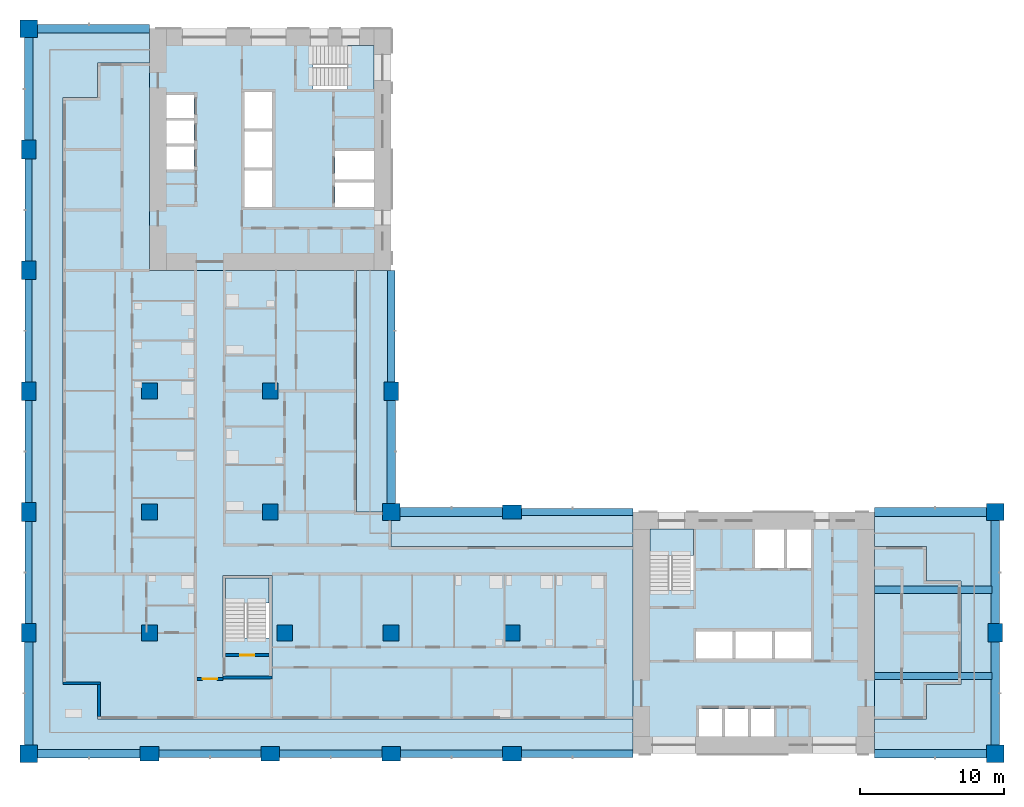
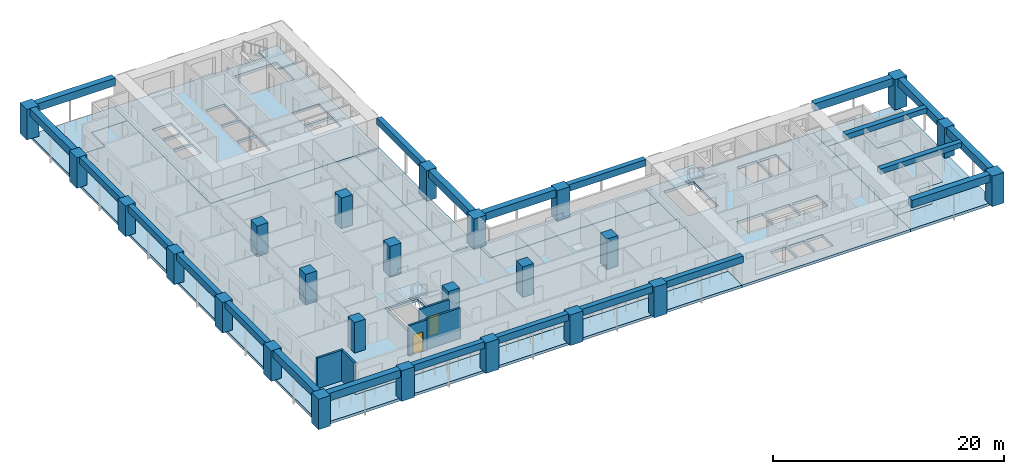
# One storey, part 1 of 17: 25 columns, 22 beams, 12 slabs, 5 walls, 2 doors, 2 openings, 3 elements without a shape of their own.
"""IFC4 building model written with IfcOpenShell, lengths in metres."""

from ifc_helpers import new_model, si_unit, direction, frame, frame_2d, origin, origin_2d, place, context, subcontext, project, spatial, polyline, rectangle, outline, extrude, material, layer, layer_set, material_profile, profile_set, type_object, element, fill, aggregate, save


model = new_model("IFC4")

# Units and contexts
model_context = context("Model", 3, precision=1e-05, world=origin(), true_north=direction((0.0, 1.0)))
body_context = subcontext(model_context, "Body", "Model", "MODEL_VIEW")
ifc_project = project(units=[si_unit("LENGTHUNIT", "METRE"), si_unit("AREAUNIT", "SQUARE_METRE"), si_unit("VOLUMEUNIT", "CUBIC_METRE"), si_unit("PLANEANGLEUNIT", "RADIAN"), si_unit("MASSUNIT", "GRAM", prefix="KILO")], contexts=[model_context])

# Site, building, storey
site_placement = place(None, origin())
site = spatial("IfcSite", under=ifc_project, at=site_placement, CompositionType="ELEMENT")
building_placement = place(site_placement, origin())
building = spatial("IfcBuilding", under=site, at=building_placement, Name="Vermilion Gate Residences", CompositionType="ELEMENT")
storey_placement = place(building_placement, frame((0.0, 0.0, 95.199951171875)))
storey = spatial("IfcBuildingStorey", under=building, at=storey_placement, Name="L23", CompositionType="ELEMENT", Elevation=95.199951171875)

# Columns
ifc_material_1 = material(Name="Concrete C70", Category="concrete")
ifc_material_profile_1 = material_profile(ifc_material_1, rectangle(XDim=1.10009765625, YDim=1.10009765625, at=origin_2d()), Name="RC-1100x1100")
ifc_profile_set_1 = profile_set([ifc_material_profile_1], Name="Concrete C70")
column_type_1 = type_object("IfcColumnType", Name="RC COLUMN 1100 X 1100 C70", PredefinedType="COLUMN", material=ifc_profile_set_1)
for number, where, z_axis, x_axis, name in (
    (1, (8.39990234375, 16.800048828125, 0.0), (0.0, 0.0, 1.0), (1.0, 0.0, 0.0), "Column 2-C L23"),
    (2, (8.39990234375, 25.199951171875, 0.0), (0.0, 0.0, 1.0), (1.0, 0.0, 0.0), "Column 2-D L23"),
    (3, (8.39990234375, 33.60009765625, 0.0), (0.0, 0.0, 1.0), (1.0, 0.0, 0.0), "Column 2-E L23"),
    (4, (17.800048828125, 16.800048828125, 0.0), (0.0, 0.0, 1.0), (1.0, 0.0, 0.0), "Column 3-C L23"),
    (5, (16.800048828125, 25.199951171875, 0.0), (0.0, 0.0, 1.0), (1.0, 0.0, 0.0), "Column 3-D L23"),
    (6, (16.800048828125, 33.60009765625, 0.0), (0.0, 0.0, 1.0), (1.0, 0.0, 0.0), "Column 3-E L23"),
    (7, (25.199951171875, 16.800048828125, 0.0), (0.0, 0.0, 1.0), (1.0, 0.0, 0.0), "Column 4-C L23"),
    (8, (33.60009765625, 16.800048828125, 0.0), (0.0, 0.0, 1.0), (1.0, 0.0, 0.0), "Column 5-C L23"),
):
    element("IfcColumn", number, at=place(storey_placement, frame(where, z_axis=z_axis, x_axis=x_axis)), inside=storey, type_object=column_type_1, Name=name, PredefinedType="COLUMN", context=body_context, shape_type="SweptSolid", body=[
        extrude(rectangle(XDim=1.10009765625, YDim=1.10009765625, at=origin_2d()), origin(), (0.0, 0.0, 1.0), 3.219970703125),
    ])
ifc_material_2 = material(Name="Concrete C70", Category="concrete")
ifc_material_profile_2 = material_profile(ifc_material_2, rectangle(XDim=1.199951171875, YDim=1.199951171875, at=origin_2d()), Name="RC-1200x1200")
ifc_profile_set_2 = profile_set([ifc_material_profile_2], Name="Concrete C70")
column_type_2 = type_object("IfcColumnType", Name="RC COLUMN 1200 X 1200 C70", PredefinedType="COLUMN", material=ifc_profile_set_2)
for number, where, z_axis, x_axis, name in (
    (9, (0.0, 8.39990234375, 0.0), (0.0, 0.0, 1.0), (1.0, 0.0, 0.0), "Column 1-B L23"),
    (10, (0.0, 58.800048828125, 0.0), (0.0, 0.0, 1.0), (1.0, 0.0, 0.0), "Column 1-H L23"),
    (11, (25.199951171875, 25.199951171875, 0.0), (0.0, 0.0, 1.0), (1.0, 0.0, 0.0), "Column 4-D L23"),
    (12, (67.199951171875, 8.39990234375, 0.0), (0.0, 0.0, 1.0), (1.0, 0.0, 0.0), "Column 9-B L23"),
    (13, (67.199951171875, 25.199951171875, 0.0), (0.0, 0.0, 1.0), (1.0, 0.0, 0.0), "Column 9-D L23"),
):
    element("IfcColumn", number, at=place(storey_placement, frame(where, z_axis=z_axis, x_axis=x_axis)), inside=storey, type_object=column_type_2, Name=name, PredefinedType="COLUMN", context=body_context, shape_type="SweptSolid", body=[
        extrude(rectangle(XDim=1.199951171875, YDim=1.199951171875, at=origin_2d()), origin(), (0.0, 0.0, 1.0), 3.219970703125),
    ])
ifc_material_3 = material(Name="Concrete C70", Category="concrete")
ifc_material_profile_3 = material_profile(ifc_material_3, rectangle(XDim=1.300048828125, YDim=1.0, at=origin_2d()), Name="RC-1300x1000")
ifc_profile_set_3 = profile_set([ifc_material_profile_3], Name="Concrete C70")
column_type_3 = type_object("IfcColumnType", Name="RC COLUMN 1300 X 1000 C70", PredefinedType="COLUMN", material=ifc_profile_set_3)
for number, where, z_axis, x_axis, name in (
    (14, (0.0, 16.800048828125, 0.0), (0.0, 0.0, 1.0), (0.0, 1.0, 0.0), "Column 1-C L23"),
    (15, (0.0, 25.199951171875, 0.0), (0.0, 0.0, 1.0), (0.0, 1.0, 0.0), "Column 1-D L23"),
    (16, (0.0, 33.60009765625, 0.0), (0.0, 0.0, 1.0), (0.0, 1.0, 0.0), "Column 1-E L23"),
    (17, (0.0, 42.0, 0.0), (0.0, 0.0, 1.0), (0.0, 1.0, 0.0), "Column 1-F L23"),
    (18, (0.0, 50.39990234375, 0.0), (0.0, 0.0, 1.0), (0.0, 1.0, 0.0), "Column 1-G L23"),
    (19, (8.39990234375, 8.39990234375, 0.0), (0.0, 0.0, 1.0), (1.0, 0.0, 0.0), "Column 2-B L23"),
    (20, (16.800048828125, 8.39990234375, 0.0), (0.0, 0.0, 1.0), (1.0, 0.0, 0.0), "Column 3-B L23"),
    (21, (25.199951171875, 8.39990234375, 0.0), (0.0, 0.0, 1.0), (1.0, 0.0, 0.0), "Column 4-B L23"),
    (22, (25.199951171875, 33.60009765625, 0.0), (0.0, 0.0, 1.0), (0.0, 1.0, 0.0), "Column 4-E L23"),
    (23, (33.60009765625, 8.39990234375, 0.0), (0.0, 0.0, 1.0), (1.0, 0.0, 0.0), "Column 5-B L23"),
    (24, (33.60009765625, 25.199951171875, 0.0), (0.0, 0.0, 1.0), (1.0, 0.0, 0.0), "Column 5-D L23"),
    (25, (67.199951171875, 16.800048828125, 0.0), (0.0, 0.0, 1.0), (0.0, 1.0, 0.0), "Column 9-C L23"),
):
    element("IfcColumn", number, at=place(storey_placement, frame(where, z_axis=z_axis, x_axis=x_axis)), inside=storey, type_object=column_type_3, Name=name, PredefinedType="COLUMN", context=body_context, shape_type="SweptSolid", body=[
        extrude(rectangle(XDim=1.300048828125, YDim=1.0, at=origin_2d()), origin(), (0.0, 0.0, 1.0), 3.219970703125),
    ])

# Beams
ifc_material_4 = material(Name="Concrete C60 red-oxide pigmented", Category="concrete")
ifc_material_profile_4 = material_profile(ifc_material_4, rectangle(XDim=0.60009765625, YDim=0.800048828125, at=origin_2d()), Name="RC-600x800")
ifc_profile_set_4 = profile_set([ifc_material_profile_4], Name="Concrete C60 red-oxide pigmented")
beam_type_1 = type_object("IfcBeamType", Name="RC CORNER EDGE BEAM 600 X 800 C60", PredefinedType="BEAM", material=ifc_profile_set_4)
for number, where, z_axis, x_axis, name in (
    (26, (0.60009765625, 8.39990234375, 2.820068359375), (1.0, 0.0, 0.0), (0.0, 1.0, 0.0), "Corner edge beam L23 1"),
    (27, (0.0, 9.0, 2.820068359375), (0.0, 1.0, 0.0), (-1.0, 0.0, 0.0), "Corner edge beam L23 2"),
):
    element("IfcBeam", number, at=place(storey_placement, frame(where, z_axis=z_axis, x_axis=x_axis)), inside=storey, type_object=beam_type_1, Name=name, PredefinedType="BEAM", context=body_context, shape_type="SweptSolid", body=[
        extrude(rectangle(XDim=0.60009765625, YDim=0.800048828125, at=origin_2d()), origin(), (0.0, 0.0, 1.0), 7.14990234375),
    ])
beam_1_placement = place(storey_placement, frame((0.60009765625, 58.800048828125, 2.820068359375), z_axis=(1.0, 0.0, 0.0), x_axis=(0.0, 1.0, 0.0)))
element("IfcBeam", 28, at=beam_1_placement, inside=storey, type_object=beam_type_1, Name="Corner edge beam L23 7", PredefinedType="BEAM", context=body_context, shape_type="SweptSolid", body=[
    extrude(rectangle(XDim=0.60009765625, YDim=0.800048828125, at=origin_2d()), origin(), (0.0, 0.0, 1.0), 7.7998046875),
])
for number, where, z_axis, x_axis, name in (
    (29, (0.0, 51.050048828125, 2.820068359375), (0.0, 1.0, 0.0), (-1.0, 0.0, 0.0), "Corner edge beam L23 8"),
    (30, (25.199951171875, 25.800048828125, 2.820068359375), (0.0, 1.0, 0.0), (-1.0, 0.0, 0.0), "Corner edge beam L23 11"),
    (31, (25.800048828125, 25.199951171875, 2.820068359375), (1.0, 0.0, 0.0), (0.0, 1.0, 0.0), "Corner edge beam L23 14"),
):
    element("IfcBeam", number, at=place(storey_placement, frame(where, z_axis=z_axis, x_axis=x_axis)), inside=storey, type_object=beam_type_1, Name=name, PredefinedType="BEAM", context=body_context, shape_type="SweptSolid", body=[
        extrude(rectangle(XDim=0.60009765625, YDim=0.800048828125, at=origin_2d()), origin(), (0.0, 0.0, 1.0), 7.14990234375),
    ])
beam_2_placement = place(storey_placement, frame((58.800048828125, 8.39990234375, 2.820068359375), z_axis=(1.0, 0.0, 0.0), x_axis=(0.0, 1.0, 0.0)))
element("IfcBeam", 32, at=beam_2_placement, inside=storey, type_object=beam_type_1, Name="Corner edge beam L23 17", PredefinedType="BEAM", context=body_context, shape_type="SweptSolid", body=[
    extrude(rectangle(XDim=0.60009765625, YDim=0.800048828125, at=origin_2d()), origin(), (0.0, 0.0, 1.0), 7.800048828125),
])
beam_3_placement = place(storey_placement, frame((67.199951171875, 9.0, 2.820068359375), z_axis=(0.0, 1.0, 0.0), x_axis=(-1.0, 0.0, 0.0)))
element("IfcBeam", 33, at=beam_3_placement, inside=storey, type_object=beam_type_1, Name="Corner edge beam L23 18", PredefinedType="BEAM", context=body_context, shape_type="SweptSolid", body=[
    extrude(rectangle(XDim=0.60009765625, YDim=0.800048828125, at=origin_2d()), origin(), (0.0, 0.0, 1.0), 7.14990234375),
])
beam_4_placement = place(storey_placement, frame((67.199951171875, 17.449951171875, 2.820068359375), z_axis=(0.0, 1.0, 0.0), x_axis=(-1.0, 0.0, 0.0)))
element("IfcBeam", 34, at=beam_4_placement, inside=storey, type_object=beam_type_1, Name="Corner edge beam L23 19", PredefinedType="BEAM", context=body_context, shape_type="SweptSolid", body=[
    extrude(rectangle(XDim=0.60009765625, YDim=0.800048828125, at=origin_2d()), origin(), (0.0, 0.0, 1.0), 7.150146484375),
])
beam_5_placement = place(storey_placement, frame((58.800048828125, 25.199951171875, 2.820068359375), z_axis=(1.0, 0.0, 0.0), x_axis=(0.0, 1.0, 0.0)))
element("IfcBeam", 35, at=beam_5_placement, inside=storey, type_object=beam_type_1, Name="Corner edge beam L23 20", PredefinedType="BEAM", context=body_context, shape_type="SweptSolid", body=[
    extrude(rectangle(XDim=0.60009765625, YDim=0.800048828125, at=origin_2d()), origin(), (0.0, 0.0, 1.0), 7.800048828125),
])
ifc_material_5 = material(Name="Concrete C60 red-oxide pigmented", Category="concrete")
ifc_material_profile_5 = material_profile(ifc_material_5, rectangle(XDim=0.5, YDim=0.699951171875, at=origin_2d()), Name="RC-500x700")
ifc_profile_set_5 = profile_set([ifc_material_profile_5], Name="Concrete C60 red-oxide pigmented")
beam_type_2 = type_object("IfcBeamType", Name="RC EDGE BEAM 500 X 700 C60", PredefinedType="BEAM", material=ifc_profile_set_5)
beam_6_placement = place(storey_placement, frame((0.0, 17.449951171875, 2.8701171875), z_axis=(0.0, 1.0, 0.0), x_axis=(-1.0, 0.0, 0.0)))
element("IfcBeam", 36, at=beam_6_placement, inside=storey, type_object=beam_type_2, Name="Edge beam L23 3", PredefinedType="BEAM", context=body_context, shape_type="SweptSolid", body=[
    extrude(rectangle(XDim=0.5, YDim=0.699951171875, at=origin_2d()), origin(), (0.0, 0.0, 1.0), 7.10009765625),
])
beam_7_placement = place(storey_placement, frame((0.0, 25.85009765625, 2.8701171875), z_axis=(0.0, 1.0, 0.0), x_axis=(-1.0, 0.0, 0.0)))
element("IfcBeam", 37, at=beam_7_placement, inside=storey, type_object=beam_type_2, Name="Edge beam L23 4", PredefinedType="BEAM", context=body_context, shape_type="SweptSolid", body=[
    extrude(rectangle(XDim=0.5, YDim=0.699951171875, at=origin_2d()), origin(), (0.0, 0.0, 1.0), 7.099853515625),
])
for number, where, z_axis, x_axis, name in (
    (38, (0.0, 34.25, 2.8701171875), (0.0, 1.0, 0.0), (-1.0, 0.0, 0.0), "Edge beam L23 5"),
    (39, (0.0, 42.64990234375, 2.8701171875), (0.0, 1.0, 0.0), (-1.0, 0.0, 0.0), "Edge beam L23 6"),
):
    element("IfcBeam", number, at=place(storey_placement, frame(where, z_axis=z_axis, x_axis=x_axis)), inside=storey, type_object=beam_type_2, Name=name, PredefinedType="BEAM", context=body_context, shape_type="SweptSolid", body=[
        extrude(rectangle(XDim=0.5, YDim=0.699951171875, at=origin_2d()), origin(), (0.0, 0.0, 1.0), 7.10009765625),
    ])
beam_8_placement = place(storey_placement, frame((9.050048828125, 8.39990234375, 2.8701171875), z_axis=(1.0, 0.0, 0.0), x_axis=(0.0, 1.0, 0.0)))
element("IfcBeam", 40, at=beam_8_placement, inside=storey, type_object=beam_type_2, Name="Edge beam L23 9", PredefinedType="BEAM", context=body_context, shape_type="SweptSolid", body=[
    extrude(rectangle(XDim=0.5, YDim=0.699951171875, at=origin_2d()), origin(), (0.0, 0.0, 1.0), 7.099853515625),
])
beam_9_placement = place(storey_placement, frame((17.449951171875, 8.39990234375, 2.8701171875), z_axis=(1.0, 0.0, 0.0), x_axis=(0.0, 1.0, 0.0)))
element("IfcBeam", 41, at=beam_9_placement, inside=storey, type_object=beam_type_2, Name="Edge beam L23 10", PredefinedType="BEAM", context=body_context, shape_type="SweptSolid", body=[
    extrude(rectangle(XDim=0.5, YDim=0.699951171875, at=origin_2d()), origin(), (0.0, 0.0, 1.0), 7.10009765625),
])
beam_10_placement = place(storey_placement, frame((25.199951171875, 34.25, 2.8701171875), z_axis=(0.0, 1.0, 0.0), x_axis=(-1.0, 0.0, 0.0)))
element("IfcBeam", 42, at=beam_10_placement, inside=storey, type_object=beam_type_2, Name="Edge beam L23 12", PredefinedType="BEAM", context=body_context, shape_type="SweptSolid", body=[
    extrude(rectangle(XDim=0.5, YDim=0.699951171875, at=origin_2d()), origin(), (0.0, 0.0, 1.0), 7.75),
])
beam_11_placement = place(storey_placement, frame((25.85009765625, 8.39990234375, 2.8701171875), z_axis=(1.0, 0.0, 0.0), x_axis=(0.0, 1.0, 0.0)))
element("IfcBeam", 43, at=beam_11_placement, inside=storey, type_object=beam_type_2, Name="Edge beam L23 13", PredefinedType="BEAM", context=body_context, shape_type="SweptSolid", body=[
    extrude(rectangle(XDim=0.5, YDim=0.699951171875, at=origin_2d()), origin(), (0.0, 0.0, 1.0), 7.099853515625),
])
for number, where, z_axis, x_axis, name in (
    (44, (34.25, 8.39990234375, 2.8701171875), (1.0, 0.0, 0.0), (0.0, 1.0, 0.0), "Edge beam L23 15"),
    (45, (34.25, 25.199951171875, 2.8701171875), (1.0, 0.0, 0.0), (0.0, 1.0, 0.0), "Edge beam L23 16"),
):
    element("IfcBeam", number, at=place(storey_placement, frame(where, z_axis=z_axis, x_axis=x_axis)), inside=storey, type_object=beam_type_2, Name=name, PredefinedType="BEAM", context=body_context, shape_type="SweptSolid", body=[
        extrude(rectangle(XDim=0.5, YDim=0.699951171875, at=origin_2d()), origin(), (0.0, 0.0, 1.0), 7.75),
    ])
ifc_material_6 = material(Name="Concrete C60", Category="concrete")
ifc_material_profile_6 = material_profile(ifc_material_6, rectangle(XDim=0.5, YDim=0.550048828125, at=origin_2d()), Name="RC-500x550")
ifc_profile_set_6 = profile_set([ifc_material_profile_6], Name="Concrete C60")
beam_type_3 = type_object("IfcBeamType", Name="RC WING BEAM 500 X 550 C60", PredefinedType="BEAM", material=ifc_profile_set_6)
for number, where, z_axis, x_axis, name in (
    (46, (58.800048828125, 13.800048828125, 2.945068359375), (1.0, 0.0, 0.0), (0.0, 1.0, 0.0), "Wing-end beam L23 1"),
    (47, (58.800048828125, 19.800048828125, 2.945068359375), (1.0, 0.0, 0.0), (0.0, 1.0, 0.0), "Wing-end beam L23 2"),
):
    element("IfcBeam", number, at=place(storey_placement, frame(where, z_axis=z_axis, x_axis=x_axis)), inside=storey, type_object=beam_type_3, Name=name, PredefinedType="BEAM", context=body_context, shape_type="SweptSolid", body=[
        extrude(rectangle(XDim=0.5, YDim=0.550048828125, at=origin_2d()), origin(), (0.0, 0.0, 1.0), 8.14990234375),
    ])

# Slabs
ifc_material_7 = material(Name="Concrete C50", Category="concrete")
ifc_layer_1 = layer(ifc_material_7, 0.280029296875)
ifc_layer_set_1 = layer_set([ifc_layer_1], Name="RC CORE FLOOR SLAB 280 C50")
slab_type_1 = type_object("IfcSlabType", Name="RC CORE FLOOR SLAB 280 C50", PredefinedType="FLOOR", material=ifc_layer_set_1)
slab_1_placement = place(storey_placement, frame((0.0, 0.0, -0.280029296875)))
element("IfcSlab", 48, at=slab_1_placement, inside=storey, type_object=slab_type_1, Name="Core floor slab A23", PredefinedType="FLOOR", context=body_context, shape_type="SweptSolid", body=[
    extrude(outline(polyline([(42.0, 8.39990234375), (58.800048828125, 8.39990234375), (58.800048828125, 25.199951171875), (42.0, 25.199951171875), (42.0, 8.39990234375)]), holes=[polyline([(46.60009765625, 11.5), (48.199951171875, 11.5), (48.199951171875, 9.60009765625), (46.60009765625, 9.60009765625), (46.60009765625, 11.5)]), polyline([(48.39990234375, 11.5), (50.0, 11.5), (50.0, 9.60009765625), (48.39990234375, 9.60009765625), (48.39990234375, 11.5)]), polyline([(50.199951171875, 11.5), (51.800048828125, 11.5), (51.800048828125, 9.60009765625), (50.199951171875, 9.60009765625), (50.199951171875, 11.5)]), polyline([(46.39990234375, 16.89990234375), (48.933349609375, 16.89990234375), (48.933349609375, 15.0), (46.39990234375, 15.0), (46.39990234375, 16.89990234375)]), polyline([(49.13330078125, 16.89990234375), (51.666748046875, 16.89990234375), (51.666748046875, 15.0), (49.13330078125, 15.0), (49.13330078125, 16.89990234375)]), polyline([(51.86669921875, 16.89990234375), (54.39990234375, 16.89990234375), (54.39990234375, 15.0), (51.86669921875, 15.0), (51.86669921875, 16.89990234375)]), polyline([(43.199951171875, 24.0), (46.199951171875, 24.0), (46.199951171875, 19.75), (43.199951171875, 19.75), (43.199951171875, 24.0)]), polyline([(52.5, 24.0), (52.5, 21.300048828125), (50.5, 21.300048828125), (50.5, 24.0), (52.5, 24.0)]), polyline([(54.39990234375, 24.0), (54.39990234375, 21.300048828125), (52.699951171875, 21.300048828125), (52.699951171875, 24.0), (54.39990234375, 24.0)])]), origin(), (0.0, 0.0, 1.0), 0.280029296875),
])
slab_2_placement = place(storey_placement, frame((0.0, 0.0, -0.280029296875)))
element("IfcSlab", 49, at=slab_2_placement, inside=storey, type_object=slab_type_1, Name="Core floor slab B23", PredefinedType="FLOOR", context=body_context, shape_type="SweptSolid", body=[
    extrude(outline(polyline([(8.39990234375, 42.0), (25.199951171875, 42.0), (25.199951171875, 58.800048828125), (8.39990234375, 58.800048828125), (8.39990234375, 42.0)]), holes=[polyline([(21.300048828125, 48.10009765625), (24.0, 48.10009765625), (24.0, 46.39990234375), (21.300048828125, 46.39990234375), (21.300048828125, 48.10009765625)]), polyline([(15.0, 48.933349609375), (16.89990234375, 48.933349609375), (16.89990234375, 46.39990234375), (15.0, 46.39990234375), (15.0, 48.933349609375)]), polyline([(21.300048828125, 50.300048828125), (24.0, 50.300048828125), (24.0, 48.300048828125), (21.300048828125, 48.300048828125), (21.300048828125, 50.300048828125)]), polyline([(9.60009765625, 50.60009765625), (11.5, 50.60009765625), (11.5, 49.0), (9.60009765625, 49.0), (9.60009765625, 50.60009765625)]), polyline([(15.0, 51.666748046875), (16.89990234375, 51.666748046875), (16.89990234375, 49.13330078125), (15.0, 49.13330078125), (15.0, 51.666748046875)]), polyline([(9.60009765625, 52.39990234375), (11.5, 52.39990234375), (11.5, 50.800048828125), (9.60009765625, 50.800048828125), (9.60009765625, 52.39990234375)]), polyline([(15.0, 54.39990234375), (16.89990234375, 54.39990234375), (16.89990234375, 51.86669921875), (15.0, 51.86669921875), (15.0, 54.39990234375)]), polyline([(11.5, 54.199951171875), (11.5, 52.60009765625), (9.60009765625, 52.60009765625), (9.60009765625, 54.199951171875), (11.5, 54.199951171875)]), polyline([(24.0, 57.60009765625), (24.0, 54.60009765625), (19.75, 54.60009765625), (19.75, 57.60009765625), (24.0, 57.60009765625)])]), origin(), (0.0, 0.0, 1.0), 0.280029296875),
])
slab_3_placement = place(storey_placement, frame((0.0, 0.0, -0.280029296875)))
element("IfcSlab", 50, at=slab_3_placement, inside=storey, type_object=slab_type_1, Name="Apex stair floor slab 23", PredefinedType="FLOOR", context=body_context, shape_type="SweptSolid", body=[
    extrude(outline(polyline([(13.5, 13.60009765625), (16.89990234375, 13.60009765625), (16.89990234375, 20.800048828125), (13.5, 20.800048828125), (13.5, 13.60009765625)]), holes=[polyline([(16.699951171875, 20.60009765625), (16.699951171875, 16.449951171875), (13.699951171875, 16.449951171875), (13.699951171875, 20.60009765625), (16.699951171875, 20.60009765625)])]), origin(), (0.0, 0.0, 1.0), 0.280029296875),
])
ifc_material_8 = material(Name="Concrete C50", Category="concrete")
ifc_layer_2 = layer(ifc_material_8, 0.280029296875)
ifc_layer_set_2 = layer_set([ifc_layer_2], Name="RC FLAT PLATE 280 C50")
slab_type_2 = type_object("IfcSlabType", Name="RC FLAT PLATE 280 C50", PredefinedType="FLOOR", material=ifc_layer_set_2)
slab_4_placement = place(storey_placement, frame((0.0, 0.0, -0.280029296875)))
element("IfcSlab", 51, at=slab_4_placement, inside=storey, type_object=slab_type_2, Name="Floor slab L23", PredefinedType="FLOOR", context=body_context, shape_type="SweptSolid", body=[
    extrude(outline(polyline([(22.800048828125, 25.199951171875), (22.800048828125, 42.0), (8.39990234375, 42.0), (8.39990234375, 56.39990234375), (4.800048828125, 56.39990234375), (4.800048828125, 54.0), (2.39990234375, 54.0), (2.39990234375, 13.199951171875), (4.800048828125, 13.199951171875), (4.800048828125, 10.800048828125), (42.0, 10.800048828125), (42.0, 22.800048828125), (25.199951171875, 22.800048828125), (25.199951171875, 25.199951171875), (22.800048828125, 25.199951171875)]), holes=[polyline([(13.5, 13.60009765625), (13.5, 20.800048828125), (16.89990234375, 20.800048828125), (16.89990234375, 13.60009765625), (13.5, 13.60009765625)])]), origin(), (0.0, 0.0, 1.0), 0.280029296875),
])
slab_5_placement = place(storey_placement, frame((0.0, 0.0, -0.280029296875)))
element("IfcSlab", 52, at=slab_5_placement, inside=storey, type_object=slab_type_2, Name="Floor slab L23", PredefinedType="FLOOR", context=body_context, shape_type="SweptSolid", body=[
    extrude(outline(polyline([(58.800048828125, 22.800048828125), (58.800048828125, 10.800048828125), (62.39990234375, 10.800048828125), (62.39990234375, 13.199951171875), (64.800048828125, 13.199951171875), (64.800048828125, 20.39990234375), (62.39990234375, 20.39990234375), (62.39990234375, 22.800048828125), (58.800048828125, 22.800048828125)])), origin(), (0.0, 0.0, 1.0), 0.280029296875),
])
ifc_material_9 = material(Name="Concrete C50 red-oxide pigmented", Category="concrete")
ifc_layer_3 = layer(ifc_material_9, 0.280029296875)
ifc_layer_set_3 = layer_set([ifc_layer_3], Name="RC LOGGIA SLAB 280 C50")
slab_type_3 = type_object("IfcSlabType", Name="RC LOGGIA SLAB 280 C50", PredefinedType="FLOOR", material=ifc_layer_set_3)
slab_6_placement = place(storey_placement, frame((0.0, 0.0, -0.280029296875)))
element("IfcSlab", 53, at=slab_6_placement, inside=storey, type_object=slab_type_3, Name="Loggia slab L23", PredefinedType="FLOOR", context=body_context, shape_type="SweptSolid", body=[
    extrude(outline(polyline([(0.0, 58.800048828125), (0.0, 8.39990234375), (42.0, 8.39990234375), (42.0, 10.800048828125), (4.800048828125, 10.800048828125), (4.800048828125, 13.199951171875), (2.39990234375, 13.199951171875), (2.39990234375, 54.0), (4.800048828125, 54.0), (4.800048828125, 56.39990234375), (8.39990234375, 56.39990234375), (8.39990234375, 58.800048828125), (0.0, 58.800048828125)])), origin(), (0.0, 0.0, 1.0), 0.280029296875),
])
slab_7_placement = place(storey_placement, frame((0.0, 0.0, -0.280029296875)))
element("IfcSlab", 54, at=slab_7_placement, inside=storey, type_object=slab_type_3, Name="Loggia slab L23", PredefinedType="FLOOR", context=body_context, shape_type="SweptSolid", body=[
    extrude(outline(polyline([(64.800048828125, 20.39990234375), (64.800048828125, 13.199951171875), (62.39990234375, 13.199951171875), (62.39990234375, 10.800048828125), (58.800048828125, 10.800048828125), (58.800048828125, 8.39990234375), (67.199951171875, 8.39990234375), (67.199951171875, 25.199951171875), (58.800048828125, 25.199951171875), (58.800048828125, 22.800048828125), (62.39990234375, 22.800048828125), (62.39990234375, 20.39990234375), (64.800048828125, 20.39990234375)])), origin(), (0.0, 0.0, 1.0), 0.280029296875),
])
slab_8_placement = place(storey_placement, frame((0.0, 0.0, -0.280029296875)))
element("IfcSlab", 55, at=slab_8_placement, inside=storey, type_object=slab_type_3, Name="Loggia slab L23", PredefinedType="FLOOR", context=body_context, shape_type="SweptSolid", body=[
    extrude(outline(polyline([(25.199951171875, 22.800048828125), (42.0, 22.800048828125), (42.0, 25.199951171875), (25.199951171875, 25.199951171875), (25.199951171875, 22.800048828125)])), origin(), (0.0, 0.0, 1.0), 0.280029296875),
])
slab_9_placement = place(storey_placement, frame((0.0, 0.0, -0.280029296875)))
element("IfcSlab", 56, at=slab_9_placement, inside=storey, type_object=slab_type_3, Name="Loggia slab L23", PredefinedType="FLOOR", context=body_context, shape_type="SweptSolid", body=[
    extrude(outline(polyline([(25.199951171875, 25.199951171875), (25.199951171875, 42.0), (22.800048828125, 42.0), (22.800048828125, 25.199951171875), (25.199951171875, 25.199951171875)])), origin(), (0.0, 0.0, 1.0), 0.280029296875),
])

# Stair, slab
ifc_material_10 = material(Name="Concrete C50", Category="concrete")
stair_type = type_object("IfcStairType", Name="SPECIAL ESCAPE STAIR 1300", PredefinedType="HALF_TURN_STAIR", material=ifc_material_10)
stair_1_placement = place(storey_placement, origin())
stair_1 = element("IfcStair", 57, at=stair_1_placement, inside=storey, type_object=stair_type, Name="Special escape stair STA1-23", PredefinedType="HALF_TURN_STAIR")
ifc_material_11 = material(Name="Concrete C50", Category="concrete")
ifc_layer_4 = layer(ifc_material_11, 0.199951171875)
ifc_layer_set_4 = layer_set([ifc_layer_4], Name="STAIR LANDING 200 C50")
slab_type_4 = type_object("IfcSlabType", Name="STAIR LANDING 200 C50", PredefinedType="LANDING", material=ifc_layer_set_4)
slab_10_placement = place(storey_placement, frame((0.0, 0.0, 1.550048828125)))
slab_10 = element("IfcSlab", 58, at=slab_10_placement, type_object=slab_type_4, Name="STA1-23 landing 1", PredefinedType="LANDING", context=body_context, shape_type="SweptSolid", body=[
    extrude(outline(polyline([(46.219970703125, 22.179931640625), (46.219970703125, 24.02001953125), (43.179931640625, 24.02001953125), (43.179931640625, 22.179931640625), (46.219970703125, 22.179931640625)])), origin(), (0.0, 0.0, 1.0), 0.199951171875),
])
aggregate(stair_1, [slab_10])

stair_2_placement = place(storey_placement, origin())
stair_2 = element("IfcStair", 59, at=stair_2_placement, inside=storey, type_object=stair_type, Name="Special escape stair STB1-23", PredefinedType="HALF_TURN_STAIR")
slab_11_placement = place(storey_placement, frame((0.0, 0.0, 1.550048828125)))
slab_11 = element("IfcSlab", 60, at=slab_11_placement, type_object=slab_type_4, Name="STB1-23 landing 1", PredefinedType="LANDING", context=body_context, shape_type="SweptSolid", body=[
    extrude(outline(polyline([(24.02001953125, 54.580078125), (24.02001953125, 57.6201171875), (22.179931640625, 57.6201171875), (22.179931640625, 54.580078125), (24.02001953125, 54.580078125)])), origin(), (0.0, 0.0, 1.0), 0.199951171875),
])
aggregate(stair_2, [slab_11])

stair_3_placement = place(storey_placement, origin())
stair_3 = element("IfcStair", 61, at=stair_3_placement, inside=storey, type_object=stair_type, Name="Special escape stair STC1-23", PredefinedType="HALF_TURN_STAIR")
slab_12_placement = place(storey_placement, frame((0.0, 0.0, 1.550048828125)))
slab_12 = element("IfcSlab", 62, at=slab_12_placement, type_object=slab_type_4, Name="STC1-23 landing 1", PredefinedType="LANDING", context=body_context, shape_type="SweptSolid", body=[
    extrude(outline(polyline([(16.719970703125, 18.8798828125), (16.719970703125, 20.6201171875), (13.679931640625, 20.6201171875), (13.679931640625, 18.8798828125), (16.719970703125, 18.8798828125)])), origin(), (0.0, 0.0, 1.0), 0.199951171875),
])
aggregate(stair_3, [slab_12])

# Walls
ifc_material_12 = material(Name="Insulated steel stud wall with terracotta rainscreen", Category="masonry")
ifc_layer_5 = layer(ifc_material_12, 0.199951171875)
ifc_layer_set_5 = layer_set([ifc_layer_5], Name="EXTERNAL WALL 200 TERRACOTTA RAINSCREEN")
wall_type_1 = type_object("IfcWallType", Name="EXTERNAL WALL 200 TERRACOTTA RAINSCREEN", PredefinedType="SOLIDWALL", material=ifc_layer_set_5)
wall_1_placement = place(storey_placement, frame((2.39990234375, 13.300048828125, 0.0), z_axis=(0.0, 0.0, 1.0), x_axis=(1.0, 0.0, 0.0)))
element("IfcWall", 63, at=wall_1_placement, inside=storey, type_object=wall_type_1, Name="External wall", PredefinedType="SOLIDWALL", context=body_context, shape_type="SweptSolid", body=[
    extrude(rectangle(XDim=2.60009765625, YDim=0.199951171875, at=frame_2d((1.300048828125, 0.0))), origin(), (0.0, 0.0, 1.0), 3.219970703125),
])
wall_2_placement = place(storey_placement, frame((4.89990234375, 13.199951171875, 0.0), z_axis=(0.0, 0.0, 1.0), x_axis=(0.0, -1.0, 0.0)))
element("IfcWall", 64, at=wall_2_placement, inside=storey, type_object=wall_type_1, Name="External wall", PredefinedType="SOLIDWALL", context=body_context, shape_type="SweptSolid", body=[
    extrude(rectangle(XDim=2.199951171875, YDim=0.199951171875, at=frame_2d((1.10009765625, 0.0))), origin(), (0.0, 0.0, 1.0), 3.219970703125),
])

# Wall, opening, door
ifc_material_13 = material(Name="Fire-rated plasterboard on steel studs", Category="steel")
ifc_layer_6 = layer(ifc_material_13, 0.199951171875)
ifc_layer_set_6 = layer_set([ifc_layer_6], Name="PARTY WALL 200 EI 120")
wall_type_2 = type_object("IfcWallType", Name="PARTY WALL 200 EI 120", PredefinedType="PARTITIONING", material=ifc_layer_set_6)
wall_3_placement = place(storey_placement, frame((11.699951171875, 13.60009765625, 0.0), z_axis=(0.0, 0.0, 1.0), x_axis=(1.0, 0.0, 0.0)))
wall_3 = element("IfcWall", 65, at=wall_3_placement, inside=storey, type_object=wall_type_2, Name="Party and corridor wall", PredefinedType="PARTITIONING", context=body_context, shape_type="SweptSolid", body=[
    extrude(rectangle(XDim=1.800048828125, YDim=0.199951171875, at=frame_2d((0.89990234375, 0.0))), origin(), (0.0, 0.0, 1.0), 3.219970703125),
])
opening_1_placement = place(wall_3_placement, frame((0.39990234375, 0.0, 0.0)))
opening_1 = element("IfcOpeningElement", 66, at=opening_1_placement, cuts=wall_3, Name="Opening DA22001", PredefinedType="OPENING", context=body_context, shape_type="SweptSolid", body=[
    extrude(rectangle(XDim=1.0, YDim=2.10009765625, at=frame_2d((0.5, 1.050048828125))), frame((0.0, 0.10986328125, 0.0), z_axis=(0.0, -1.0, 0.0), x_axis=(1.0, 0.0, 0.0)), (0.0, 0.0, 1.0), 0.219970703125),
])
ifc_material_14 = material(Name="Steel", Category="steel")
door_type_1 = type_object("IfcDoorType", Name="ENTRANCE DOOR 1000 X 2100 FD30", OperationType="SINGLE_SWING_LEFT", PredefinedType="DOOR", material=ifc_material_14)
door_1_placement = place(opening_1_placement, frame((1.0, 0.0, 0.0), z_axis=(0.0, 0.0, 1.0), x_axis=(-1.0, 0.0, 0.0)))
door_1 = element("IfcDoor", 67, at=door_1_placement, inside=storey, type_object=door_type_1, Name="Entrance door", OperationType="SINGLE_SWING_RIGHT", OverallHeight=2.10009765625, OverallWidth=1.0, PredefinedType="DOOR", context=body_context, shape_type="SweptSolid", body=[
    extrude(rectangle(XDim=1.0, YDim=2.10009765625, at=frame_2d((0.5, 1.050048828125))), frame((0.0, 0.02490234375, 0.0), z_axis=(0.0, -1.0, 0.0), x_axis=(1.0, 0.0, 0.0)), (0.0, 0.0, 1.0), 0.050048828125),
])
fill(opening_1, door_1)

# Wall
ifc_material_15 = material(Name="Concrete C60", Category="concrete")
ifc_layer_7 = layer(ifc_material_15, 0.199951171875)
ifc_layer_set_7 = layer_set([ifc_layer_7], Name="RC CORE INTERNAL WALL 200 C60")
wall_type_3 = type_object("IfcWallType", Name="RC CORE INTERNAL WALL 200 C60", PredefinedType="SHEAR", material=ifc_layer_set_7)
wall_4_placement = place(storey_placement, frame((13.5, 13.699951171875, 0.0), z_axis=(0.0, 0.0, 1.0), x_axis=(1.0, 0.0, 0.0)))
element("IfcWall", 68, at=wall_4_placement, inside=storey, type_object=wall_type_3, Name="Core internal wall C23-S", PredefinedType="SHEAR", context=body_context, shape_type="SweptSolid", body=[
    extrude(rectangle(XDim=3.39990234375, YDim=0.199951171875, at=frame_2d((1.699951171875, 0.0))), origin(), (0.0, 0.0, 1.0), 3.219970703125),
])

# Wall, opening, door
wall_5_placement = place(storey_placement, frame((13.699951171875, 15.25, 0.0), z_axis=(0.0, 0.0, 1.0), x_axis=(1.0, 0.0, 0.0)))
wall_5 = element("IfcWall", 69, at=wall_5_placement, inside=storey, type_object=wall_type_3, Name="Core internal wall C23-P", PredefinedType="SHEAR", context=body_context, shape_type="SweptSolid", body=[
    extrude(rectangle(XDim=3.0, YDim=0.199951171875, at=frame_2d((1.5, 0.0))), origin(), (0.0, 0.0, 1.0), 3.219970703125),
])
opening_2_placement = place(wall_5_placement, frame((1.0, 0.0, 0.0)))
opening_2 = element("IfcOpeningElement", 70, at=opening_2_placement, cuts=wall_5, Name="Opening DK23202", PredefinedType="OPENING", context=body_context, shape_type="SweptSolid", body=[
    extrude(rectangle(XDim=1.0, YDim=2.10009765625, at=frame_2d((0.5, 1.050048828125))), frame((0.0, 0.10986328125, 0.0), z_axis=(0.0, -1.0, 0.0), x_axis=(1.0, 0.0, 0.0)), (0.0, 0.0, 1.0), 0.219970703125),
])
ifc_material_16 = material(Name="Steel", Category="steel")
door_type_2 = type_object("IfcDoorType", Name="FIRE DOOR FD60 1000 X 2100", OperationType="SINGLE_SWING_LEFT", PredefinedType="DOOR", material=ifc_material_16)
door_2_placement = place(opening_2_placement, origin())
door_2 = element("IfcDoor", 71, at=door_2_placement, inside=storey, type_object=door_type_2, Name="Stair door C23", OperationType="SINGLE_SWING_LEFT", OverallHeight=2.10009765625, OverallWidth=1.0, PredefinedType="DOOR", context=body_context, shape_type="SweptSolid", body=[
    extrude(rectangle(XDim=1.0, YDim=2.10009765625, at=frame_2d((0.5, 1.050048828125))), frame((0.0, 0.02490234375, 0.0), z_axis=(0.0, -1.0, 0.0), x_axis=(1.0, 0.0, 0.0)), (0.0, 0.0, 1.0), 0.050048828125),
])
fill(opening_2, door_2)

save(model, "model.ifc")
